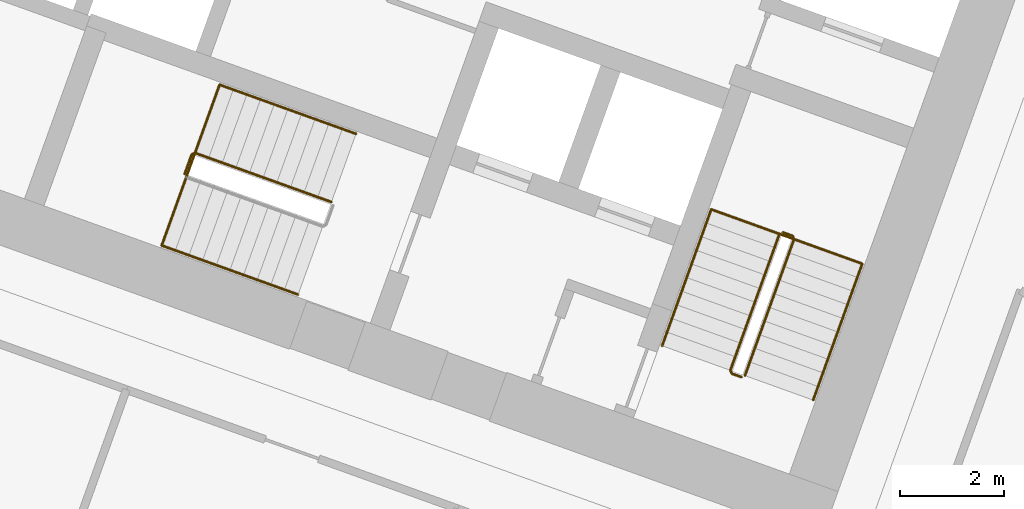
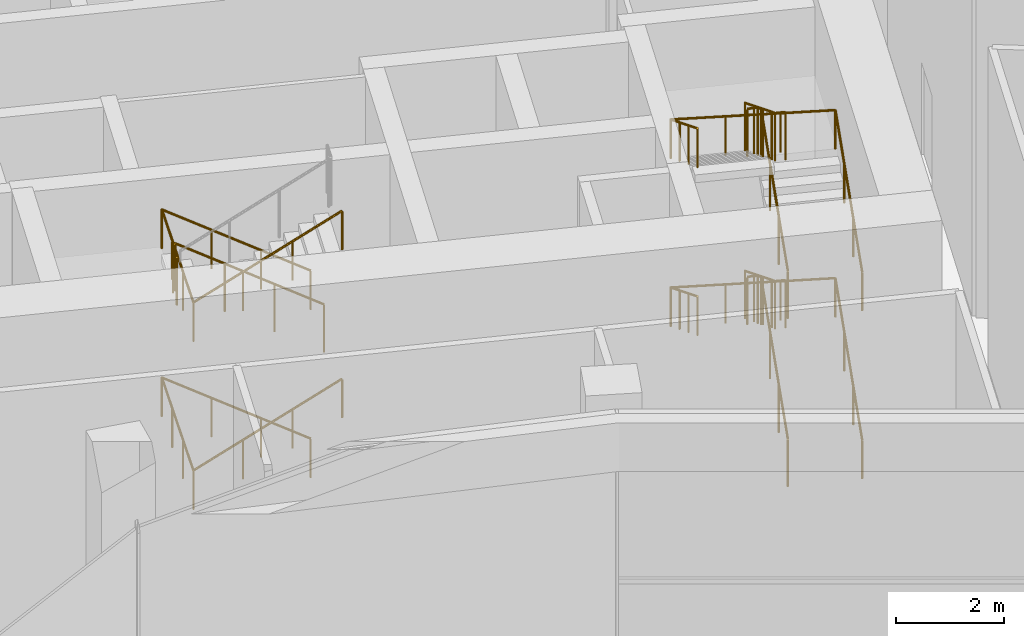
# One storey, part 26 of 26: 9 railings.
"""IFC4 building model written with IfcOpenShell, lengths in metres."""

from ifc_helpers import new_model, si_unit, direction, frame, origin, origin_2d, place, context, subcontext, project, spatial, circle, extrude, material, type_object, element, save


model = new_model("IFC4")

# Units and contexts
model_context = context("Model", 3, precision=1e-05, world=origin(), true_north=direction((0.0, 1.0)))
body_context = subcontext(model_context, "Body", "Model", "MODEL_VIEW")
ifc_project = project(units=[si_unit("LENGTHUNIT", "METRE"), si_unit("AREAUNIT", "SQUARE_METRE"), si_unit("VOLUMEUNIT", "CUBIC_METRE"), si_unit("PLANEANGLEUNIT", "RADIAN"), si_unit("MASSUNIT", "GRAM", prefix="KILO")], contexts=[model_context])

# Site, building, storey
site_placement = place(None, origin())
site = spatial("IfcSite", under=ifc_project, at=site_placement, CompositionType="ELEMENT")
building_placement = place(site_placement, origin())
building = spatial("IfcBuilding", under=site, at=building_placement, Name="Stone Belt Terrace Tower", CompositionType="ELEMENT")
storey_placement = place(building_placement, frame((0.0, 0.0, 250.39990234375)))
storey = spatial("IfcBuildingStorey", under=building, at=storey_placement, Name="L61", CompositionType="ELEMENT", Elevation=250.39990234375)

# Railings
ifc_material = material(Name="Structural steel C345", Category="steel")
railing_type_1 = type_object("IfcRailingType", Name="Stair guard 1100", PredefinedType="GUARDRAIL", material=ifc_material)
railing_1_placement = place(storey_placement, frame((24.494140625, 45.174560546875, 0.1728515625)))
element("IfcRailing", 1, at=railing_1_placement, inside=storey, type_object=railing_type_1, Name="L61 ST1B stair guard 1", PredefinedType="GUARDRAIL", context=body_context, shape_type="SweptSolid", body=[
    extrude(circle(Radius=0.02392578125, at=origin_2d()), frame((0.0, 0.0, 1.076171875), z_axis=(0.288228637646, 0.800791768495, 0.525030280985), x_axis=(-0.940908529223, 0.338660803216, 0.0)), (0.0, 0.0, 1.0), 3.289794921875),
    extrude(circle(Radius=0.02392578125, at=origin_2d()), frame((0.9482421875, 2.634521484375, 2.80322265625), z_axis=(-0.424964916, 0.905209821074, 0.0), x_axis=(-0.905209821074, -0.424964916, 0.0)), (0.0, 0.0, 1.0), 0.070556640625),
    extrude(circle(Radius=0.02392578125, at=origin_2d()), frame((0.918212890625, 2.698486328125, 2.80322265625), z_axis=(-0.941105063269, 0.338114270461, 0.0), x_axis=(-0.338114270461, -0.941105063269, 0.0)), (0.0, 0.0, 1.0), 0.199951171875),
    extrude(circle(Radius=0.02099609375, at=origin_2d()), origin(), (0.0, 0.0, 1.0), 1.052001953125),
    extrude(circle(Radius=0.02099609375, at=origin_2d()), frame((0.316162109375, 0.878173828125, 0.57568359375)), (0.0, 0.0, 1.0), 1.052001953125),
    extrude(circle(Radius=0.02099609375, at=origin_2d()), frame((0.632080078125, 1.75634765625, 1.151611328125)), (0.0, 0.0, 1.0), 1.052001953125),
    extrude(circle(Radius=0.02099609375, at=origin_2d()), frame((0.9482421875, 2.634521484375, 1.727294921875)), (0.0, 0.0, 1.0), 1.052001953125),
    extrude(circle(Radius=0.02099609375, at=origin_2d()), frame((0.918212890625, 2.698486328125, 1.727294921875)), (0.0, 0.0, 1.0), 1.052001953125),
    extrude(circle(Radius=0.02099609375, at=origin_2d()), frame((0.72998046875, 2.76611328125, 1.727294921875)), (0.0, 0.0, 1.0), 1.052001953125),
])
railing_2_placement = place(storey_placement, frame((25.16015625, 47.91064453125, 2.07275390625)))
element("IfcRailing", 2, at=railing_2_placement, inside=storey, type_object=railing_type_1, Name="L61 ST1B stair guard 2", PredefinedType="GUARDRAIL", context=body_context, shape_type="SweptSolid", body=[
    extrude(circle(Radius=0.02392578125, at=origin_2d()), frame((0.0, 0.0, 1.076171875), z_axis=(-0.288228637646, -0.800791768495, 0.525030280985), x_axis=(0.940908529223, -0.338660803216, 0.0)), (0.0, 0.0, 1.0), 3.289794921875),
    extrude(circle(Radius=0.02392578125, at=origin_2d()), frame((-0.9482421875, -2.634521484375, 2.80322265625), z_axis=(0.427789722475, -0.903878284585, 0.0), x_axis=(0.903878284585, 0.427789722475, 0.0)), (0.0, 0.0, 1.0), 0.07080078125),
    extrude(circle(Radius=0.02392578125, at=origin_2d()), frame((-0.91796875, -2.698486328125, 2.80322265625), z_axis=(0.940575576748, -0.339584429008, 0.0), x_axis=(0.339584429008, 0.940575576748, 0.0)), (0.0, 0.0, 1.0), 0.199951171875),
    extrude(circle(Radius=0.02099609375, at=origin_2d()), origin(), (0.0, 0.0, 1.0), 1.052001953125),
    extrude(circle(Radius=0.02099609375, at=origin_2d()), frame((-0.316162109375, -0.878173828125, 0.57568359375)), (0.0, 0.0, 1.0), 1.052001953125),
    extrude(circle(Radius=0.02099609375, at=origin_2d()), frame((-0.632080078125, -1.75634765625, 1.151611328125)), (0.0, 0.0, 1.0), 1.052001953125),
    extrude(circle(Radius=0.02099609375, at=origin_2d()), frame((-0.9482421875, -2.634521484375, 1.727294921875)), (0.0, 0.0, 1.0), 1.052001953125),
    extrude(circle(Radius=0.02099609375, at=origin_2d()), frame((-0.91796875, -2.698486328125, 1.727294921875)), (0.0, 0.0, 1.0), 1.052001953125),
    extrude(circle(Radius=0.02099609375, at=origin_2d()), frame((-0.72998046875, -2.766357421875, 1.727294921875)), (0.0, 0.0, 1.0), 1.052001953125),
])
railing_3_placement = place(storey_placement, frame((24.494140625, 45.174560546875, 3.972900390625)))
element("IfcRailing", 3, at=railing_3_placement, inside=storey, type_object=railing_type_1, Name="L61 ST1B stair guard 3", PredefinedType="GUARDRAIL", context=body_context, shape_type="SweptSolid", body=[
    extrude(circle(Radius=0.02392578125, at=origin_2d()), frame((0.0, 0.0, 1.076171875), z_axis=(0.288228637646, 0.800791768495, 0.525030280985), x_axis=(-0.940908529223, 0.338660803216, 0.0)), (0.0, 0.0, 1.0), 3.289794921875),
    extrude(circle(Radius=0.02392578125, at=origin_2d()), frame((0.9482421875, 2.634521484375, 2.80322265625), z_axis=(-0.424964916, 0.905209821074, 0.0), x_axis=(-0.905209821074, -0.424964916, 0.0)), (0.0, 0.0, 1.0), 0.070556640625),
    extrude(circle(Radius=0.02392578125, at=origin_2d()), frame((0.918212890625, 2.698486328125, 2.80322265625), z_axis=(-0.941105063269, 0.338114270461, 0.0), x_axis=(-0.338114270461, -0.941105063269, 0.0)), (0.0, 0.0, 1.0), 0.199951171875),
    extrude(circle(Radius=0.02099609375, at=origin_2d()), origin(), (0.0, 0.0, 1.0), 1.052001953125),
    extrude(circle(Radius=0.02099609375, at=origin_2d()), frame((0.316162109375, 0.878173828125, 0.57568359375)), (0.0, 0.0, 1.0), 1.052001953125),
    extrude(circle(Radius=0.02099609375, at=origin_2d()), frame((0.632080078125, 1.75634765625, 1.151611328125)), (0.0, 0.0, 1.0), 1.052001953125),
    extrude(circle(Radius=0.02099609375, at=origin_2d()), frame((0.9482421875, 2.634521484375, 1.727294921875)), (0.0, 0.0, 1.0), 1.052001953125),
    extrude(circle(Radius=0.02099609375, at=origin_2d()), frame((0.918212890625, 2.698486328125, 1.727294921875)), (0.0, 0.0, 1.0), 1.052001953125),
    extrude(circle(Radius=0.02099609375, at=origin_2d()), frame((0.72998046875, 2.76611328125, 1.727294921875)), (0.0, 0.0, 1.0), 1.052001953125),
])
railing_4_placement = place(storey_placement, frame((25.16015625, 47.91064453125, 5.872802734375)))
element("IfcRailing", 4, at=railing_4_placement, inside=storey, type_object=railing_type_1, Name="L61 ST1B stair guard 4", PredefinedType="GUARDRAIL", context=body_context, shape_type="SweptSolid", body=[
    extrude(circle(Radius=0.02392578125, at=origin_2d()), frame((0.0, 0.0, 1.076171875), z_axis=(-0.288228637646, -0.800791768495, 0.525030280985), x_axis=(0.940908529223, -0.338660803216, 0.0)), (0.0, 0.0, 1.0), 3.289794921875),
    extrude(circle(Radius=0.02392578125, at=origin_2d()), frame((-0.9482421875, -2.634521484375, 2.80322265625), z_axis=(0.427789722475, -0.903878284585, 0.0), x_axis=(0.903878284585, 0.427789722475, 0.0)), (0.0, 0.0, 1.0), 0.07080078125),
    extrude(circle(Radius=0.02392578125, at=origin_2d()), frame((-0.91796875, -2.698486328125, 2.80322265625), z_axis=(0.940575576748, -0.339584429008, 0.0), x_axis=(0.339584429008, 0.940575576748, 0.0)), (0.0, 0.0, 1.0), 0.199951171875),
    extrude(circle(Radius=0.02099609375, at=origin_2d()), origin(), (0.0, 0.0, 1.0), 1.052001953125),
    extrude(circle(Radius=0.02099609375, at=origin_2d()), frame((-0.316162109375, -0.878173828125, 0.57568359375)), (0.0, 0.0, 1.0), 1.052001953125),
    extrude(circle(Radius=0.02099609375, at=origin_2d()), frame((-0.632080078125, -1.75634765625, 1.151611328125)), (0.0, 0.0, 1.0), 1.052001953125),
    extrude(circle(Radius=0.02099609375, at=origin_2d()), frame((-0.9482421875, -2.634521484375, 1.727294921875)), (0.0, 0.0, 1.0), 1.052001953125),
    extrude(circle(Radius=0.02099609375, at=origin_2d()), frame((-0.91796875, -2.698486328125, 1.727294921875)), (0.0, 0.0, 1.0), 1.052001953125),
    extrude(circle(Radius=0.02099609375, at=origin_2d()), frame((-0.72998046875, -2.766357421875, 1.727294921875)), (0.0, 0.0, 1.0), 1.052001953125),
])
railing_5_placement = place(storey_placement, frame((16.507568359375, 48.527099609375, 3.972900390625)))
element("IfcRailing", 5, at=railing_5_placement, inside=storey, type_object=railing_type_1, Name="L61 ST2B stair guard 3", PredefinedType="GUARDRAIL", context=body_context, shape_type="SweptSolid", body=[
    extrude(circle(Radius=0.02392578125, at=origin_2d()), frame((0.0, 0.0, 1.076171875), z_axis=(-0.800808895155, 0.288160591223, 0.52504150989), x_axis=(-0.338583606334, -0.940936311087, 0.0)), (0.0, 0.0, 1.0), 3.289794921875),
    extrude(circle(Radius=0.02392578125, at=origin_2d()), frame((-2.634521484375, 0.947998046875, 2.80322265625), z_axis=(-0.905209821074, -0.424964916, 0.0), x_axis=(0.424964916, -0.905209821074, 0.0)), (0.0, 0.0, 1.0), 0.070556640625),
    extrude(circle(Radius=0.02392578125, at=origin_2d()), frame((-2.698486328125, 0.91796875, 2.80322265625), z_axis=(-0.338654645739, -0.940910745459, 0.0), x_axis=(0.940910745459, -0.338654645739, 0.0)), (0.0, 0.0, 1.0), 0.400146484375),
    extrude(circle(Radius=0.02099609375, at=origin_2d()), origin(), (0.0, 0.0, 1.0), 1.052001953125),
    extrude(circle(Radius=0.02099609375, at=origin_2d()), frame((-0.878173828125, 0.31591796875, 0.57568359375)), (0.0, 0.0, 1.0), 1.052001953125),
    extrude(circle(Radius=0.02099609375, at=origin_2d()), frame((-1.75634765625, 0.632080078125, 1.151611328125)), (0.0, 0.0, 1.0), 1.052001953125),
    extrude(circle(Radius=0.02099609375, at=origin_2d()), frame((-2.634521484375, 0.947998046875, 1.727294921875)), (0.0, 0.0, 1.0), 1.052001953125),
    extrude(circle(Radius=0.02099609375, at=origin_2d()), frame((-2.698486328125, 0.91796875, 1.727294921875)), (0.0, 0.0, 1.0), 1.052001953125),
    extrude(circle(Radius=0.02099609375, at=origin_2d()), frame((-2.833984375, 0.54150390625, 1.727294921875)), (0.0, 0.0, 1.0), 1.052001953125),
])
railing_type_2 = type_object("IfcRailingType", Name="Stair handrail 900", PredefinedType="HANDRAIL", material=ifc_material)
railing_6_placement = place(storey_placement, frame((25.8115234375, 44.700439453125, 0.1728515625)))
element("IfcRailing", 6, at=railing_6_placement, inside=storey, type_object=railing_type_2, Name="L61 ST1B stair handrail 1", PredefinedType="HANDRAIL", context=body_context, shape_type="SweptSolid", body=[
    extrude(circle(Radius=0.02392578125, at=origin_2d()), frame((0.0, 0.0, 0.8759765625), z_axis=(0.288228637646, 0.800791768495, 0.525030280985), x_axis=(-0.940908529223, 0.338660803216, 0.0)), (0.0, 0.0, 1.0), 3.289794921875),
    extrude(circle(Radius=0.02392578125, at=origin_2d()), frame((0.9482421875, 2.634521484375, 2.60302734375), z_axis=(-0.939464517435, 0.338106580597, 0.055591012205), x_axis=(-0.338630230244, -0.940919532779, 0.0)), (0.0, 0.0, 1.0), 3.10498046875),
    extrude(circle(Radius=0.02392578125, at=origin_2d()), frame((-1.96875, 3.684326171875, 2.77587890625), z_axis=(-0.288160591223, -0.800808895155, 0.52504150989), x_axis=(0.940936311087, -0.338583606334, 0.0)), (0.0, 0.0, 1.0), 3.289794921875),
    extrude(circle(Radius=0.02099609375, at=origin_2d()), origin(), (0.0, 0.0, 1.0), 0.851806640625),
    extrude(circle(Radius=0.02099609375, at=origin_2d()), frame((0.316162109375, 0.878173828125, 0.57568359375)), (0.0, 0.0, 1.0), 0.851806640625),
    extrude(circle(Radius=0.02099609375, at=origin_2d()), frame((0.632080078125, 1.75634765625, 1.151611328125)), (0.0, 0.0, 1.0), 0.851806640625),
    extrude(circle(Radius=0.02099609375, at=origin_2d()), frame((0.9482421875, 2.634521484375, 1.727294921875)), (0.0, 0.0, 1.0), 0.851806640625),
    extrude(circle(Radius=0.02099609375, at=origin_2d()), frame((-0.024169921875, 2.984375, 1.784912109375)), (0.0, 0.0, 1.0), 0.851806640625),
    extrude(circle(Radius=0.02099609375, at=origin_2d()), frame((-0.996337890625, 3.33447265625, 1.84228515625)), (0.0, 0.0, 1.0), 0.851806640625),
    extrude(circle(Radius=0.02099609375, at=origin_2d()), frame((-1.96875, 3.684326171875, 1.89990234375)), (0.0, 0.0, 1.0), 0.851806640625),
    extrude(circle(Radius=0.02099609375, at=origin_2d()), frame((-2.28466796875, 2.80615234375, 2.4755859375)), (0.0, 0.0, 1.0), 0.851806640625),
    extrude(circle(Radius=0.02099609375, at=origin_2d()), frame((-2.600830078125, 1.927978515625, 3.051513671875)), (0.0, 0.0, 1.0), 0.851806640625),
    extrude(circle(Radius=0.02099609375, at=origin_2d()), frame((-2.916748046875, 1.0498046875, 3.627197265625)), (0.0, 0.0, 1.0), 0.851806640625),
])
railing_7_placement = place(storey_placement, frame((25.8115234375, 44.700439453125, 3.972900390625)))
element("IfcRailing", 7, at=railing_7_placement, inside=storey, type_object=railing_type_2, Name="L61 ST1B stair handrail 2", PredefinedType="HANDRAIL", context=body_context, shape_type="SweptSolid", body=[
    extrude(circle(Radius=0.02392578125, at=origin_2d()), frame((0.0, 0.0, 0.8759765625), z_axis=(0.288228637646, 0.800791768495, 0.525030280985), x_axis=(-0.940908529223, 0.338660803216, 0.0)), (0.0, 0.0, 1.0), 3.289794921875),
    extrude(circle(Radius=0.02392578125, at=origin_2d()), frame((0.9482421875, 2.634521484375, 2.60302734375), z_axis=(-0.939464517435, 0.338106580597, 0.055591012205), x_axis=(-0.338630230244, -0.940919532779, 0.0)), (0.0, 0.0, 1.0), 3.10498046875),
    extrude(circle(Radius=0.02392578125, at=origin_2d()), frame((-1.96875, 3.684326171875, 2.77587890625), z_axis=(-0.288160591223, -0.800808895155, 0.52504150989), x_axis=(0.940936311087, -0.338583606334, 0.0)), (0.0, 0.0, 1.0), 3.289794921875),
    extrude(circle(Radius=0.02099609375, at=origin_2d()), origin(), (0.0, 0.0, 1.0), 0.851806640625),
    extrude(circle(Radius=0.02099609375, at=origin_2d()), frame((0.316162109375, 0.878173828125, 0.57568359375)), (0.0, 0.0, 1.0), 0.851806640625),
    extrude(circle(Radius=0.02099609375, at=origin_2d()), frame((0.632080078125, 1.75634765625, 1.151611328125)), (0.0, 0.0, 1.0), 0.851806640625),
    extrude(circle(Radius=0.02099609375, at=origin_2d()), frame((0.9482421875, 2.634521484375, 1.727294921875)), (0.0, 0.0, 1.0), 0.851806640625),
    extrude(circle(Radius=0.02099609375, at=origin_2d()), frame((-0.024169921875, 2.984375, 1.784912109375)), (0.0, 0.0, 1.0), 0.851806640625),
    extrude(circle(Radius=0.02099609375, at=origin_2d()), frame((-0.996337890625, 3.33447265625, 1.84228515625)), (0.0, 0.0, 1.0), 0.851806640625),
    extrude(circle(Radius=0.02099609375, at=origin_2d()), frame((-1.96875, 3.684326171875, 1.89990234375)), (0.0, 0.0, 1.0), 0.851806640625),
    extrude(circle(Radius=0.02099609375, at=origin_2d()), frame((-2.28466796875, 2.80615234375, 2.4755859375)), (0.0, 0.0, 1.0), 0.851806640625),
    extrude(circle(Radius=0.02099609375, at=origin_2d()), frame((-2.600830078125, 1.927978515625, 3.051513671875)), (0.0, 0.0, 1.0), 0.851806640625),
    extrude(circle(Radius=0.02099609375, at=origin_2d()), frame((-2.916748046875, 1.0498046875, 3.627197265625)), (0.0, 0.0, 1.0), 0.851806640625),
])
railing_8_placement = place(storey_placement, frame((16.981689453125, 49.84423828125, 0.1728515625)))
element("IfcRailing", 8, at=railing_8_placement, inside=storey, type_object=railing_type_2, Name="L61 ST2B stair handrail 1", PredefinedType="HANDRAIL", context=body_context, shape_type="SweptSolid", body=[
    extrude(circle(Radius=0.02392578125, at=origin_2d()), frame((0.0, 0.0, 0.8759765625), z_axis=(-0.800791768495, 0.288228637646, 0.525030280985), x_axis=(-0.338660803216, -0.940908529223, 0.0)), (0.0, 0.0, 1.0), 3.289794921875),
    extrude(circle(Radius=0.02392578125, at=origin_2d()), frame((-2.634521484375, 0.9482421875, 2.60302734375), z_axis=(-0.338160254016, -0.939637778147, 0.052234935458), x_axis=(0.940922302781, -0.338622533404, 0.0)), (0.0, 0.0, 1.0), 3.304443359375),
    extrude(circle(Radius=0.02392578125, at=origin_2d()), frame((-3.751953125, -2.15673828125, 2.77587890625), z_axis=(0.800791768495, -0.288228637646, 0.525030280985), x_axis=(0.338660803216, 0.940908529223, 0.0)), (0.0, 0.0, 1.0), 3.289794921875),
    extrude(circle(Radius=0.02099609375, at=origin_2d()), origin(), (0.0, 0.0, 1.0), 0.851806640625),
    extrude(circle(Radius=0.02099609375, at=origin_2d()), frame((-0.878173828125, 0.316162109375, 0.57568359375)), (0.0, 0.0, 1.0), 0.851806640625),
    extrude(circle(Radius=0.02099609375, at=origin_2d()), frame((-1.75634765625, 0.632080078125, 1.151611328125)), (0.0, 0.0, 1.0), 0.851806640625),
    extrude(circle(Radius=0.02099609375, at=origin_2d()), frame((-2.634521484375, 0.9482421875, 1.727294921875)), (0.0, 0.0, 1.0), 0.851806640625),
    extrude(circle(Radius=0.02099609375, at=origin_2d()), frame((-3.007080078125, -0.086669921875, 1.784912109375)), (0.0, 0.0, 1.0), 0.851806640625),
    extrude(circle(Radius=0.02099609375, at=origin_2d()), frame((-3.37939453125, -1.121826171875, 1.84228515625)), (0.0, 0.0, 1.0), 0.851806640625),
    extrude(circle(Radius=0.02099609375, at=origin_2d()), frame((-3.751953125, -2.15673828125, 1.89990234375)), (0.0, 0.0, 1.0), 0.851806640625),
    extrude(circle(Radius=0.02099609375, at=origin_2d()), frame((-2.873779296875, -2.472900390625, 2.4755859375)), (0.0, 0.0, 1.0), 0.851806640625),
    extrude(circle(Radius=0.02099609375, at=origin_2d()), frame((-1.99560546875, -2.788818359375, 3.051513671875)), (0.0, 0.0, 1.0), 0.851806640625),
    extrude(circle(Radius=0.02099609375, at=origin_2d()), frame((-1.117431640625, -3.10498046875, 3.627197265625)), (0.0, 0.0, 1.0), 0.851806640625),
])
railing_9_placement = place(storey_placement, frame((16.981689453125, 49.84423828125, 3.972900390625)))
element("IfcRailing", 9, at=railing_9_placement, inside=storey, type_object=railing_type_2, Name="L61 ST2B stair handrail 2", PredefinedType="HANDRAIL", context=body_context, shape_type="SweptSolid", body=[
    extrude(circle(Radius=0.02392578125, at=origin_2d()), frame((0.0, 0.0, 0.8759765625), z_axis=(-0.800791768495, 0.288228637646, 0.525030280985), x_axis=(-0.338660803216, -0.940908529223, 0.0)), (0.0, 0.0, 1.0), 3.289794921875),
    extrude(circle(Radius=0.02392578125, at=origin_2d()), frame((-2.634521484375, 0.9482421875, 2.60302734375), z_axis=(-0.338160254016, -0.939637778147, 0.052234935458), x_axis=(0.940922302781, -0.338622533404, 0.0)), (0.0, 0.0, 1.0), 3.304443359375),
    extrude(circle(Radius=0.02392578125, at=origin_2d()), frame((-3.751953125, -2.15673828125, 2.77587890625), z_axis=(0.800791768495, -0.288228637646, 0.525030280985), x_axis=(0.338660803216, 0.940908529223, 0.0)), (0.0, 0.0, 1.0), 3.289794921875),
    extrude(circle(Radius=0.02099609375, at=origin_2d()), origin(), (0.0, 0.0, 1.0), 0.851806640625),
    extrude(circle(Radius=0.02099609375, at=origin_2d()), frame((-0.878173828125, 0.316162109375, 0.57568359375)), (0.0, 0.0, 1.0), 0.851806640625),
    extrude(circle(Radius=0.02099609375, at=origin_2d()), frame((-1.75634765625, 0.632080078125, 1.151611328125)), (0.0, 0.0, 1.0), 0.851806640625),
    extrude(circle(Radius=0.02099609375, at=origin_2d()), frame((-2.634521484375, 0.9482421875, 1.727294921875)), (0.0, 0.0, 1.0), 0.851806640625),
    extrude(circle(Radius=0.02099609375, at=origin_2d()), frame((-3.007080078125, -0.086669921875, 1.784912109375)), (0.0, 0.0, 1.0), 0.851806640625),
    extrude(circle(Radius=0.02099609375, at=origin_2d()), frame((-3.37939453125, -1.121826171875, 1.84228515625)), (0.0, 0.0, 1.0), 0.851806640625),
    extrude(circle(Radius=0.02099609375, at=origin_2d()), frame((-3.751953125, -2.15673828125, 1.89990234375)), (0.0, 0.0, 1.0), 0.851806640625),
    extrude(circle(Radius=0.02099609375, at=origin_2d()), frame((-2.873779296875, -2.472900390625, 2.4755859375)), (0.0, 0.0, 1.0), 0.851806640625),
    extrude(circle(Radius=0.02099609375, at=origin_2d()), frame((-1.99560546875, -2.788818359375, 3.051513671875)), (0.0, 0.0, 1.0), 0.851806640625),
    extrude(circle(Radius=0.02099609375, at=origin_2d()), frame((-1.117431640625, -3.10498046875, 3.627197265625)), (0.0, 0.0, 1.0), 0.851806640625),
])

save(model, "model.ifc")
